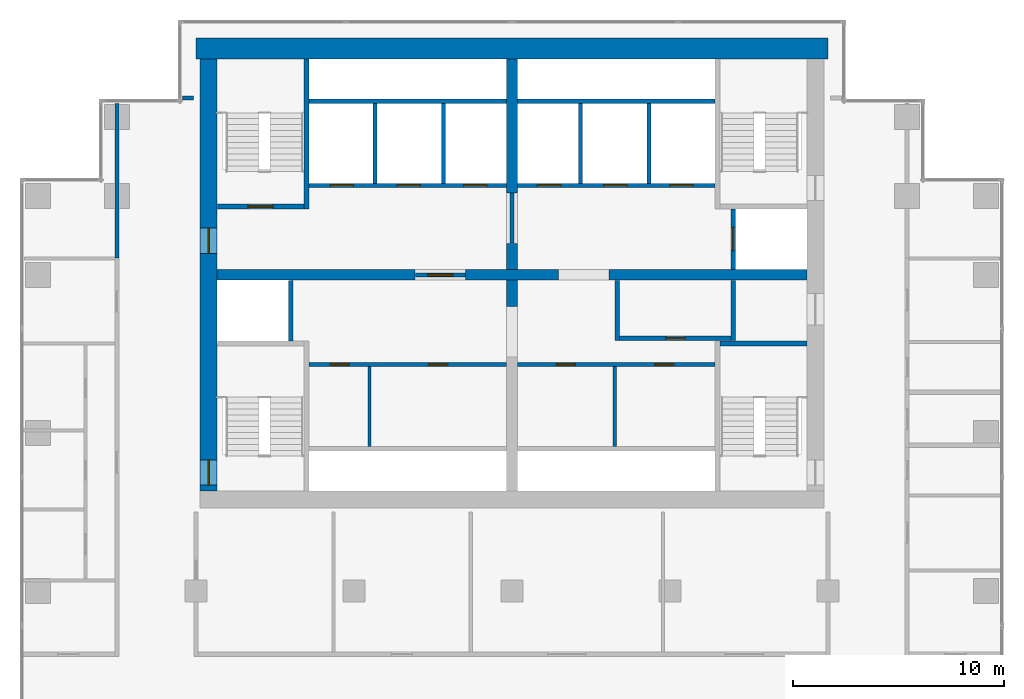
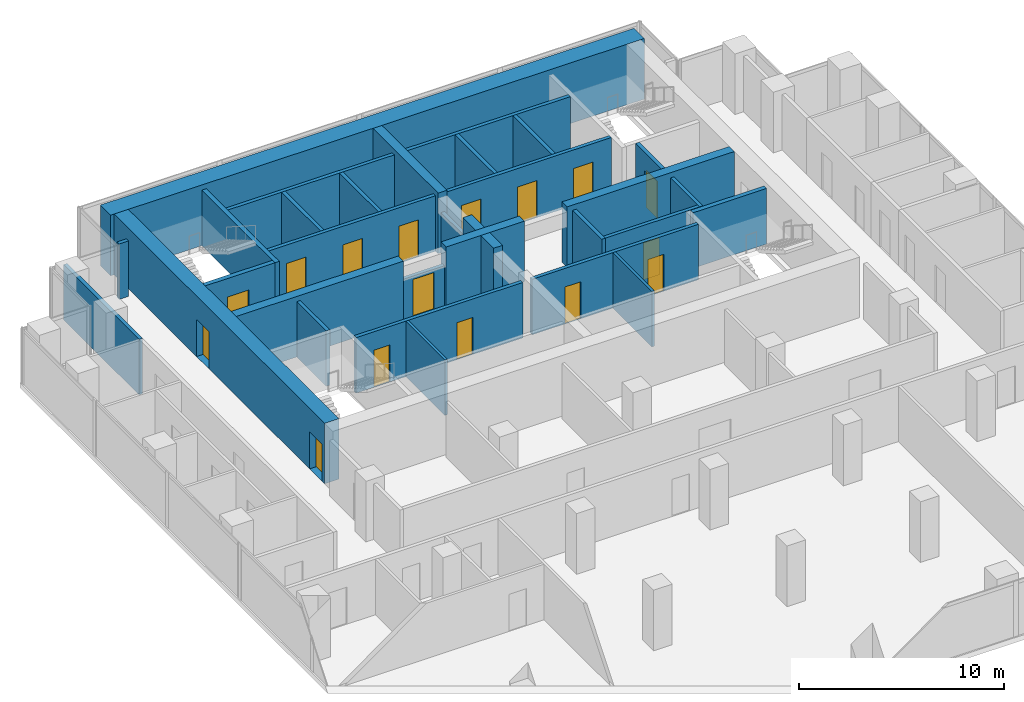
# One storey, part 8 of 10: 32 walls, 16 doors, 16 openings.
"""IFC4 building model written with IfcOpenShell, lengths in metres."""

import ifcopenshell
import ifcopenshell.guid

model = None  # the IFC model being written
_history = None  # IfcOwnerHistory: only IFC2X3 demands one
_inside = {}  # id of a spatial element -> (the spatial element, [elements in it])
_under = {}  # id of a project, library or spatial element -> (it, [spatial elements below it])
_declared = {}  # id of a project -> (the project, [libraries it declares])
_typed = {}  # id of a type object -> (the type object, [elements of that type])
_made_of = {}  # id of a material, layer set ... -> (it, [elements and type objects made of it])


def new_model(schema):
    """Start an empty IFC model of exactly this schema.

    Asked for "IFC4X3", IfcOpenShell would pick the latest addendum, in which some entities
    have other attributes; the version numbers below select the first issue.
    IFC2X3 requires an IfcOwnerHistory on every rooted entity: one is made here for all.
    """
    global model, _history
    if schema == "IFC4X3":
        model = ifcopenshell.file(schema_version=(4, 3, 0, 0))
    else:
        model = ifcopenshell.file(schema=schema)
    _inside.clear()
    _under.clear()
    _declared.clear()
    _typed.clear()
    _made_of.clear()
    _history = None
    if model.schema == "IFC2X3":
        org = make("IfcOrganization", Name="unknown")
        user = make(
            "IfcPersonAndOrganization",
            ThePerson=make("IfcPerson", FamilyName="unknown"),
            TheOrganization=org,
        )
        app = make(
            "IfcApplication",
            ApplicationDeveloper=org,
            Version="unknown",
            ApplicationFullName="unknown",
            ApplicationIdentifier="unknown",
        )
        _history = make(
            "IfcOwnerHistory",
            OwningUser=user,
            OwningApplication=app,
            ChangeAction="ADDED",
            CreationDate=0,
        )
    return model


def make(cls, **values):
    """One entity of the class cls with the attributes given. An attribute that is None is left unset."""
    return model.create_entity(
        cls, **{name: value for name, value in values.items() if value is not None}
    )


def rooted(cls, **values):
    """An entity with a GlobalId (a new one), such as an element, a storey or a relation."""
    return make(cls, GlobalId=ifcopenshell.guid.new(), OwnerHistory=_history, **values)


def si_unit(unit_type, name, prefix=None):
    """IfcSIUnit, for example si_unit("LENGTHUNIT", "METRE", prefix="MILLI")."""
    return make("IfcSIUnit", UnitType=unit_type, Prefix=prefix, Name=name)


def assignment(units):
    """IfcUnitAssignment: the units of a project."""
    return None if units is None else make("IfcUnitAssignment", Units=units)


def point(xyz):
    """IfcCartesianPoint."""
    return None if xyz is None else make("IfcCartesianPoint", Coordinates=xyz)


def direction(xyz):
    """IfcDirection."""
    return None if xyz is None else make("IfcDirection", DirectionRatios=xyz)


def frame(location, z_axis=None, x_axis=None):
    """IfcAxis2Placement3D, a coordinate frame: its origin and axes. An axis left out is left unset."""
    return make(
        "IfcAxis2Placement3D",
        Location=point(location),
        Axis=direction(z_axis),
        RefDirection=direction(x_axis),
    )


def frame_2d(location, x_axis=None):
    """IfcAxis2Placement2D, a coordinate frame in the plane: its origin and x axis."""
    return make(
        "IfcAxis2Placement2D", Location=point(location), RefDirection=direction(x_axis)
    )


def origin():
    """The frame at (0, 0, 0) with its axes left unset."""
    return frame((0.0, 0.0, 0.0))


def place(relative_to, where):
    """IfcLocalPlacement: puts the frame where relative to a parent placement (None: the world)."""
    return make(
        "IfcLocalPlacement", PlacementRelTo=relative_to, RelativePlacement=where
    )


def context(
    kind, dimensions, precision=None, world=None, true_north=None, identifier=None
):
    """IfcGeometricRepresentationContext, for example the 3D "Model" context."""
    return make(
        "IfcGeometricRepresentationContext",
        ContextIdentifier=identifier,
        ContextType=kind,
        CoordinateSpaceDimension=dimensions,
        Precision=precision,
        WorldCoordinateSystem=world,
        TrueNorth=true_north,
    )


def subcontext(parent, identifier, kind, view, scale=None):
    """IfcGeometricRepresentationSubContext, for example "Body" below "Model"."""
    return make(
        "IfcGeometricRepresentationSubContext",
        ContextIdentifier=identifier,
        ContextType=kind,
        ParentContext=parent,
        TargetScale=scale,
        TargetView=view,
    )


def project(units=None, contexts=None):
    """IfcProject with its units and contexts."""
    return rooted(
        "IfcProject",
        Name="project",
        RepresentationContexts=contexts,
        UnitsInContext=assignment(units),
    )


def spatial(cls, under=None, at=None, **own):
    """A site, building, storey or space (cls), placed at a placement, below another one or the project."""
    s = rooted(cls, ObjectPlacement=at, **own)
    if under is not None:
        _under.setdefault(under.id(), (under, []))[1].append(s)
    return s


def profile(cls, at=None, kind="AREA", **sizes):
    """A parametric profile (cls). Its sizes go by their IFC names, for example OverallWidth=200.0."""
    return make(cls, ProfileType=kind, Position=at, **sizes)


def rectangle(**sizes):
    """IfcRectangleProfileDef."""
    return profile("IfcRectangleProfileDef", **sizes)


def extrude(swept, where, along, depth):
    """IfcExtrudedAreaSolid: the profile swept, set in the frame where, extruded along a direction by depth."""
    return make(
        "IfcExtrudedAreaSolid",
        SweptArea=swept,
        Position=where,
        ExtrudedDirection=direction(along),
        Depth=depth,
    )


def shape(context_of_items, identifier, shape_type, items):
    """IfcShapeRepresentation: the items that make up one representation, for example the "Body"."""
    return make(
        "IfcShapeRepresentation",
        ContextOfItems=context_of_items,
        RepresentationIdentifier=identifier,
        RepresentationType=shape_type,
        Items=items,
    )


def material(Name=None, Category=None):
    """IfcMaterial."""
    return make("IfcMaterial", Name=Name, Category=Category)


def layer(
    of_material, thickness, ventilated=None, Name=None, Category=None, Priority=None
):
    """IfcMaterialLayer: one layer of a wall or slab, of a material (None: an air gap)."""
    return make(
        "IfcMaterialLayer",
        Material=of_material,
        LayerThickness=thickness,
        IsVentilated=ventilated,
        Name=Name,
        Category=Category,
        Priority=Priority,
    )


def layer_set(layers, Name=None):
    """IfcMaterialLayerSet."""
    return make("IfcMaterialLayerSet", MaterialLayers=layers, LayerSetName=Name)


def made_of(thing, what):
    """Note that an element or type object is made of a material, layer set ...; save() writes the relation."""
    if what is not None:
        _made_of.setdefault(what.id(), (what, []))[1].append(thing)
    return thing


def type_object(cls, material=None, **own):
    """A type object (cls), such as IfcWallType, which elements share."""
    return made_of(rooted(cls, **own), material)


def element(
    cls,
    number,
    at=None,
    inside=None,
    cuts=None,
    type_object=None,
    material=None,
    context=None,
    identifier="Body",
    shape_type=None,
    held_by="IfcProductDefinitionShape",
    body=None,
    shapes=None,
    **own,
):
    """One element of the class cls, such as IfcWall. Its Tag is "e" and its number.

    at: its placement. inside: the storey or other place that contains it. cuts: it is an
    opening in that element (IfcRelVoidsElement). A single representation is given by context,
    identifier, shape_type and body (its items); several are given by shapes. held_by: the class
    of the entity that holds the representations. save() writes the other relations.
    """
    e = rooted(cls, Tag="e%d" % number, ObjectPlacement=at, **own)
    if body is not None:
        shapes = [shape(context, identifier, shape_type, body)]
    if shapes is not None:
        e.Representation = make(held_by, Representations=shapes)
    if inside is not None:
        _inside.setdefault(inside.id(), (inside, []))[1].append(e)
    if cuts is not None:
        rooted(
            "IfcRelVoidsElement", RelatingBuildingElement=cuts, RelatedOpeningElement=e
        )
    if type_object is not None:
        _typed.setdefault(type_object.id(), (type_object, []))[1].append(e)
    return made_of(e, material)


def fill(opening, filler):
    """IfcRelFillsElement: the door or window that sits in an opening."""
    return rooted(
        "IfcRelFillsElement",
        RelatingOpeningElement=opening,
        RelatedBuildingElement=filler,
    )


def aggregate(whole, parts):
    """IfcRelAggregates: a whole, such as a stair, and the parts it consists of."""
    return rooted("IfcRelAggregates", RelatingObject=whole, RelatedObjects=parts)


def save(model, path):
    """Write the relations noted so far, then the file.

    IfcRelAggregates (storeys below a building ...), IfcRelContainedInSpatialStructure (elements
    in a storey), IfcRelDefinesByType, IfcRelAssociatesMaterial and IfcRelDeclares: one each for
    every whole, place, type object, material and project.
    """
    for whole, parts in _under.values():
        aggregate(whole, parts)
    for where, things in _inside.values():
        rooted(
            "IfcRelContainedInSpatialStructure",
            RelatedElements=things,
            RelatingStructure=where,
        )
    for kind, things in _typed.values():
        rooted("IfcRelDefinesByType", RelatedObjects=things, RelatingType=kind)
    for what, things in _made_of.values():
        rooted("IfcRelAssociatesMaterial", RelatedObjects=things, RelatingMaterial=what)
    for by, libraries in _declared.values():
        rooted("IfcRelDeclares", RelatingContext=by, RelatedDefinitions=libraries)
    model.write(path)


model = new_model("IFC4")

# Units and contexts
model_context = context("Model", 3, precision=1e-05, world=origin(), true_north=direction((0.0, 1.0)))
body_context = subcontext(model_context, "Body", "Model", "MODEL_VIEW")
ifc_project = project(units=[si_unit("LENGTHUNIT", "METRE"), si_unit("AREAUNIT", "SQUARE_METRE"), si_unit("VOLUMEUNIT", "CUBIC_METRE"), si_unit("PLANEANGLEUNIT", "RADIAN"), si_unit("MASSUNIT", "GRAM", prefix="KILO")], contexts=[model_context])

# Site, building, storey
site_placement = place(None, origin())
site = spatial("IfcSite", under=ifc_project, at=site_placement, CompositionType="ELEMENT")
building_placement = place(site_placement, origin())
building = spatial("IfcBuilding", under=site, at=building_placement, Name="Pilkhan Gate Tower", CompositionType="ELEMENT")
storey_placement = place(building_placement, frame((0.0, 0.0, 154.89990234375)))
storey = spatial("IfcBuildingStorey", under=building, at=storey_placement, Name="L39", CompositionType="ELEMENT", Elevation=154.89990234375)

# Wall
ifc_material_1 = material(Name="Concrete C60/75", Category="concrete")
ifc_layer_1 = layer(ifc_material_1, 1.0)
ifc_layer_set_1 = layer_set([ifc_layer_1], Name="Core wall CW1000 C60/75")
wall_type_1 = type_object("IfcWallType", Name="Core wall CW1000 C60/75", PredefinedType="SHEAR", material=ifc_layer_set_1)
wall_1_placement = place(storey_placement, frame((90.0, 93.25, 0.0), z_axis=(0.0, 0.0, 1.0), x_axis=(-1.0, 0.0, 0.0)))
element("IfcWall", 1, at=wall_1_placement, inside=storey, type_object=wall_type_1, Name="Core wall N L39", PredefinedType="SHEAR", context=body_context, shape_type="SweptSolid", body=[
    extrude(rectangle(XDim=30.0, YDim=1.0, at=frame_2d((15.0, 0.0))), origin(), (0.0, 0.0, 1.0), 3.60009765625),
])

# Wall, openings, doors
ifc_layer_2 = layer(ifc_material_1, 0.800048828125)
ifc_layer_set_2 = layer_set([ifc_layer_2], Name="Core wall CW800 C60/75")
wall_type_2 = type_object("IfcWallType", Name="Core wall CW800 C60/75", PredefinedType="SHEAR", material=ifc_layer_set_2)
wall_2_placement = place(storey_placement, frame((60.60009765625, 92.75, 0.0), z_axis=(0.0, 0.0, 1.0), x_axis=(0.0, -1.0, 0.0)))
wall_2 = element("IfcWall", 2, at=wall_2_placement, inside=storey, type_object=wall_type_2, Name="Core wall W L39", PredefinedType="SHEAR", context=body_context, shape_type="SweptSolid", body=[
    extrude(rectangle(XDim=20.5, YDim=0.800048828125, at=frame_2d((10.25, 0.0))), origin(), (0.0, 0.0, 1.0), 3.60009765625),
])
opening_1_placement = place(wall_2_placement, frame((19.02490234375, 0.0, 0.0)))
opening_1 = element("IfcOpeningElement", 3, at=opening_1_placement, cuts=wall_2, Name="Opening L39-04", PredefinedType="OPENING", context=body_context, shape_type="SweptSolid", body=[
    extrude(rectangle(XDim=1.199951171875, YDim=2.199951171875, at=frame_2d((0.60009765625, 1.10009765625))), frame((0.0, 0.409912109375, 0.0), z_axis=(0.0, -1.0, 0.0), x_axis=(1.0, 0.0, 0.0)), (0.0, 0.0, 1.0), 0.820068359375),
])
opening_2_placement = place(wall_2_placement, frame((8.02490234375, 0.0, 0.0)))
opening_2 = element("IfcOpeningElement", 4, at=opening_2_placement, cuts=wall_2, Name="Opening L39-13", PredefinedType="OPENING", context=body_context, shape_type="SweptSolid", body=[
    extrude(rectangle(XDim=1.199951171875, YDim=2.199951171875, at=frame_2d((0.60009765625, 1.10009765625))), frame((0.0, 0.409912109375, 0.0), z_axis=(0.0, -1.0, 0.0), x_axis=(1.0, 0.0, 0.0)), (0.0, 0.0, 1.0), 0.820068359375),
])
ifc_material_2 = material(Name="Steel door, 120 minute fire resisting, self-closing", Category="steel")
door_type_1 = type_object("IfcDoorType", Name="Firefighting lobby door D10 1200x2200", OperationType="SINGLE_SWING_LEFT", PredefinedType="DOOR", material=ifc_material_2)
door_1_placement = place(opening_2_placement, origin())
door_1 = element("IfcDoor", 5, at=door_1_placement, inside=storey, type_object=door_type_1, Name="Core door", OperationType="SINGLE_SWING_LEFT", OverallHeight=2.199951171875, OverallWidth=1.199951171875, PredefinedType="DOOR", context=body_context, shape_type="SweptSolid", body=[
    extrude(rectangle(XDim=1.199951171875, YDim=2.199951171875, at=frame_2d((0.60009765625, 1.10009765625))), frame((0.0, 0.02490234375, 0.0), z_axis=(0.0, -1.0, 0.0), x_axis=(1.0, 0.0, 0.0)), (0.0, 0.0, 1.0), 0.050048828125),
])
fill(opening_2, door_1)
ifc_material_3 = material(Name="Steel door, 120 minute fire resisting, panic bar", Category="steel")
door_type_2 = type_object("IfcDoorType", Name="Stair door D11 1200x2200", OperationType="SINGLE_SWING_LEFT", PredefinedType="DOOR", material=ifc_material_3)
door_2_placement = place(opening_1_placement, origin())
door_2 = element("IfcDoor", 6, at=door_2_placement, inside=storey, type_object=door_type_2, Name="Stair ST2 door", OperationType="SINGLE_SWING_RIGHT", OverallHeight=2.199951171875, OverallWidth=1.199951171875, PredefinedType="DOOR", context=body_context, shape_type="SweptSolid", body=[
    extrude(rectangle(XDim=1.199951171875, YDim=2.199951171875, at=frame_2d((0.60009765625, 1.10009765625))), frame((0.0, 0.02490234375, 0.0), z_axis=(0.0, -1.0, 0.0), x_axis=(1.0, 0.0, 0.0)), (0.0, 0.0, 1.0), 0.050048828125),
])
fill(opening_1, door_2)

# Walls
ifc_material_4 = material(Name="Dense blockwork", Category="masonry")
ifc_layer_3 = layer(ifc_material_4, 0.199951171875)
ifc_layer_set_3 = layer_set([ifc_layer_3], Name="Corridor wall FW200")
wall_type_3 = type_object("IfcWallType", Name="Corridor wall FW200", PredefinedType="PARTITIONING", material=ifc_layer_set_3)
wall_3_placement = place(storey_placement, frame((59.35498046875, 90.89990234375, 0.0), z_axis=(0.0, 0.0, 1.0), x_axis=(1.0, 0.0, 0.0)))
element("IfcWall", 7, at=wall_3_placement, inside=storey, type_object=wall_type_3, Name="Partition L39", PredefinedType="PARTITIONING", context=body_context, shape_type="SweptSolid", body=[
    extrude(rectangle(XDim=0.52490234375, YDim=0.199951171875, at=frame_2d((0.262451171875, 0.0))), origin(), (0.0, 0.0, 1.0), 3.300048828125),
])
wall_4_placement = place(storey_placement, frame((56.25, 83.31005859375, 0.0), z_axis=(0.0, 0.0, 1.0), x_axis=(0.0, 1.0, 0.0)))
element("IfcWall", 8, at=wall_4_placement, inside=storey, type_object=wall_type_3, Name="Partition L39", PredefinedType="PARTITIONING", context=body_context, shape_type="SweptSolid", body=[
    extrude(rectangle(XDim=7.3349609375, YDim=0.199951171875, at=frame_2d((3.66748046875, 0.0))), origin(), (0.0, 0.0, 1.0), 3.300048828125),
])

# Wall, openings, doors
ifc_layer_4 = layer(ifc_material_4, 0.199951171875)
ifc_layer_set_4 = layer_set([ifc_layer_4], Name="Lobby wall LW200")
wall_type_4 = type_object("IfcWallType", Name="Lobby wall LW200", PredefinedType="PARTITIONING", material=ifc_layer_set_4)
wall_5_placement = place(storey_placement, frame((65.375, 78.25, 0.0), z_axis=(0.0, 0.0, 1.0), x_axis=(1.0, 0.0, 0.0)))
wall_5 = element("IfcWall", 9, at=wall_5_placement, inside=storey, type_object=wall_type_4, Name="Partition L39", PredefinedType="PARTITIONING", context=body_context, shape_type="SweptSolid", body=[
    extrude(rectangle(XDim=9.364990234375, YDim=0.199951171875, at=frame_2d((4.6826171875, 0.0))), origin(), (0.0, 0.0, 1.0), 3.300048828125),
])
opening_3_placement = place(wall_5_placement, frame((1.0, 0.0, 0.0)))
opening_3 = element("IfcOpeningElement", 10, at=opening_3_placement, cuts=wall_5, Name="Opening L39-14", PredefinedType="OPENING", context=body_context, shape_type="SweptSolid", body=[
    extrude(rectangle(XDim=0.89990234375, YDim=2.199951171875, at=frame_2d((0.449951171875, 1.10009765625))), frame((0.0, 0.10986328125, 0.0), z_axis=(0.0, -1.0, 0.0), x_axis=(1.0, 0.0, 0.0)), (0.0, 0.0, 1.0), 0.219970703125),
])
opening_4_placement = place(wall_5_placement, frame((5.6650390625, 0.0, 0.0)))
opening_4 = element("IfcOpeningElement", 11, at=opening_4_placement, cuts=wall_5, Name="Opening L39-15", PredefinedType="OPENING", context=body_context, shape_type="SweptSolid", body=[
    extrude(rectangle(XDim=0.89990234375, YDim=2.199951171875, at=frame_2d((0.449951171875, 1.10009765625))), frame((0.0, 0.10986328125, 0.0), z_axis=(0.0, -1.0, 0.0), x_axis=(1.0, 0.0, 0.0)), (0.0, 0.0, 1.0), 0.219970703125),
])
ifc_material_5 = material(Name="Timber flush door, 60 minute fire resisting, self-closing", Category="wood")
door_type_3 = type_object("IfcDoorType", Name="Store door D05 900x2200", OperationType="SINGLE_SWING_LEFT", PredefinedType="DOOR", material=ifc_material_5)
door_3_placement = place(opening_3_placement, origin())
door_3 = element("IfcDoor", 12, at=door_3_placement, inside=storey, type_object=door_type_3, Name="Store door", OperationType="SINGLE_SWING_LEFT", OverallHeight=2.199951171875, OverallWidth=0.89990234375, PredefinedType="DOOR", context=body_context, shape_type="SweptSolid", body=[
    extrude(rectangle(XDim=0.89990234375, YDim=2.199951171875, at=frame_2d((0.449951171875, 1.10009765625))), frame((0.0, 0.02490234375, 0.0), z_axis=(0.0, -1.0, 0.0), x_axis=(1.0, 0.0, 0.0)), (0.0, 0.0, 1.0), 0.050048828125),
])
fill(opening_3, door_3)
door_4_placement = place(opening_4_placement, origin())
door_4 = element("IfcDoor", 13, at=door_4_placement, inside=storey, type_object=door_type_3, Name="Store door", OperationType="SINGLE_SWING_LEFT", OverallHeight=2.199951171875, OverallWidth=0.89990234375, PredefinedType="DOOR", context=body_context, shape_type="SweptSolid", body=[
    extrude(rectangle(XDim=0.89990234375, YDim=2.199951171875, at=frame_2d((0.449951171875, 1.10009765625))), frame((0.0, 0.02490234375, 0.0), z_axis=(0.0, -1.0, 0.0), x_axis=(1.0, 0.0, 0.0)), (0.0, 0.0, 1.0), 0.050048828125),
])
fill(opening_4, door_4)

wall_6_placement = place(storey_placement, frame((75.260009765625, 78.25, 0.0), z_axis=(0.0, 0.0, 1.0), x_axis=(1.0, 0.0, 0.0)))
wall_6 = element("IfcWall", 14, at=wall_6_placement, inside=storey, type_object=wall_type_4, Name="Partition L39", PredefinedType="PARTITIONING", context=body_context, shape_type="SweptSolid", body=[
    extrude(rectangle(XDim=9.364990234375, YDim=0.199951171875, at=frame_2d((4.6826171875, 0.0))), origin(), (0.0, 0.0, 1.0), 3.300048828125),
])
opening_5_placement = place(wall_6_placement, frame((1.85009765625, 0.0, 0.0)))
opening_5 = element("IfcOpeningElement", 15, at=opening_5_placement, cuts=wall_6, Name="Opening L39-16", PredefinedType="OPENING", context=body_context, shape_type="SweptSolid", body=[
    extrude(rectangle(XDim=0.89990234375, YDim=2.199951171875, at=frame_2d((0.449951171875, 1.10009765625))), frame((0.0, 0.10986328125, 0.0), z_axis=(0.0, -1.0, 0.0), x_axis=(1.0, 0.0, 0.0)), (0.0, 0.0, 1.0), 0.219970703125),
])
opening_6_placement = place(wall_6_placement, frame((6.514892578125, 0.0, 0.0)))
opening_6 = element("IfcOpeningElement", 16, at=opening_6_placement, cuts=wall_6, Name="Opening L39-17", PredefinedType="OPENING", context=body_context, shape_type="SweptSolid", body=[
    extrude(rectangle(XDim=0.89990234375, YDim=2.199951171875, at=frame_2d((0.449951171875, 1.10009765625))), frame((0.0, 0.10986328125, 0.0), z_axis=(0.0, -1.0, 0.0), x_axis=(1.0, 0.0, 0.0)), (0.0, 0.0, 1.0), 0.219970703125),
])
door_5_placement = place(opening_5_placement, origin())
door_5 = element("IfcDoor", 17, at=door_5_placement, inside=storey, type_object=door_type_3, Name="Store door", OperationType="SINGLE_SWING_LEFT", OverallHeight=2.199951171875, OverallWidth=0.89990234375, PredefinedType="DOOR", context=body_context, shape_type="SweptSolid", body=[
    extrude(rectangle(XDim=0.89990234375, YDim=2.199951171875, at=frame_2d((0.449951171875, 1.10009765625))), frame((0.0, 0.02490234375, 0.0), z_axis=(0.0, -1.0, 0.0), x_axis=(1.0, 0.0, 0.0)), (0.0, 0.0, 1.0), 0.050048828125),
])
fill(opening_5, door_5)
door_6_placement = place(opening_6_placement, origin())
door_6 = element("IfcDoor", 18, at=door_6_placement, inside=storey, type_object=door_type_3, Name="Store door", OperationType="SINGLE_SWING_LEFT", OverallHeight=2.199951171875, OverallWidth=0.89990234375, PredefinedType="DOOR", context=body_context, shape_type="SweptSolid", body=[
    extrude(rectangle(XDim=0.89990234375, YDim=2.199951171875, at=frame_2d((0.449951171875, 1.10009765625))), frame((0.0, 0.02490234375, 0.0), z_axis=(0.0, -1.0, 0.0), x_axis=(1.0, 0.0, 0.0)), (0.0, 0.0, 1.0), 0.050048828125),
])
fill(opening_6, door_6)

# Wall, opening, door
wall_7_placement = place(storey_placement, frame((80.10009765625, 79.5, 0.0), z_axis=(0.0, 0.0, 1.0), x_axis=(1.0, 0.0, 0.0)))
wall_7 = element("IfcWall", 19, at=wall_7_placement, inside=storey, type_object=wall_type_4, Name="Partition L39", PredefinedType="PARTITIONING", context=body_context, shape_type="SweptSolid", body=[
    extrude(rectangle(XDim=5.2998046875, YDim=0.199951171875, at=frame_2d((2.64990234375, 0.0))), origin(), (0.0, 0.0, 1.0), 3.300048828125),
])
opening_7_placement = place(wall_7_placement, frame((2.199951171875, 0.0, 0.0)))
opening_7 = element("IfcOpeningElement", 20, at=opening_7_placement, cuts=wall_7, Name="Opening L39-12", PredefinedType="OPENING", context=body_context, shape_type="SweptSolid", body=[
    extrude(rectangle(XDim=0.89990234375, YDim=2.199951171875, at=frame_2d((0.449951171875, 1.10009765625))), frame((0.0, 0.10986328125, 0.0), z_axis=(0.0, -1.0, 0.0), x_axis=(1.0, 0.0, 0.0)), (0.0, 0.0, 1.0), 0.219970703125),
])
door_7_placement = place(opening_7_placement, origin())
door_7 = element("IfcDoor", 21, at=door_7_placement, inside=storey, type_object=door_type_3, Name="Store door", OperationType="SINGLE_SWING_LEFT", OverallHeight=2.199951171875, OverallWidth=0.89990234375, PredefinedType="DOOR", context=body_context, shape_type="SweptSolid", body=[
    extrude(rectangle(XDim=0.89990234375, YDim=2.199951171875, at=frame_2d((0.449951171875, 1.10009765625))), frame((0.0, 0.02490234375, 0.0), z_axis=(0.0, -1.0, 0.0), x_axis=(1.0, 0.0, 0.0)), (0.0, 0.0, 1.0), 0.050048828125),
])
fill(opening_7, door_7)

wall_8_placement = place(storey_placement, frame((70.409912109375, 82.5, 0.0), z_axis=(0.0, 0.0, 1.0), x_axis=(1.0, 0.0, 0.0)))
wall_8 = element("IfcWall", 22, at=wall_8_placement, inside=storey, type_object=wall_type_4, Name="Partition L39", PredefinedType="PARTITIONING", context=body_context, shape_type="SweptSolid", body=[
    extrude(rectangle(XDim=2.380126953125, YDim=0.199951171875, at=frame_2d((1.18994140625, 0.0))), origin(), (0.0, 0.0, 1.0), 2.400146484375),
])
opening_8_placement = place(wall_8_placement, frame((0.60009765625, 0.0, 0.0)))
opening_8 = element("IfcOpeningElement", 23, at=opening_8_placement, cuts=wall_8, Name="Opening L39-01", PredefinedType="OPENING", context=body_context, shape_type="SweptSolid", body=[
    extrude(rectangle(XDim=1.199951171875, YDim=2.199951171875, at=frame_2d((0.60009765625, 1.10009765625))), frame((0.0, 0.10986328125, 0.0), z_axis=(0.0, -1.0, 0.0), x_axis=(1.0, 0.0, 0.0)), (0.0, 0.0, 1.0), 0.219970703125),
])
door_8_placement = place(opening_8_placement, origin())
door_8 = element("IfcDoor", 24, at=door_8_placement, inside=storey, type_object=door_type_1, Name="Firefighting lobby door", OperationType="SINGLE_SWING_RIGHT", OverallHeight=2.199951171875, OverallWidth=1.199951171875, PredefinedType="DOOR", context=body_context, shape_type="SweptSolid", body=[
    extrude(rectangle(XDim=1.199951171875, YDim=2.199951171875, at=frame_2d((0.60009765625, 1.10009765625))), frame((0.0, 0.02490234375, 0.0), z_axis=(0.0, -1.0, 0.0), x_axis=(1.0, 0.0, 0.0)), (0.0, 0.0, 1.0), 0.050048828125),
])
fill(opening_8, door_8)

# Walls
wall_9_placement = place(storey_placement, frame((75.0, 84.010009765625, 0.0), z_axis=(0.0, 0.0, 1.0), x_axis=(0.0, 1.0, 0.0)))
element("IfcWall", 25, at=wall_9_placement, inside=storey, type_object=wall_type_4, Name="Partition L39", PredefinedType="PARTITIONING", context=body_context, shape_type="SweptSolid", body=[
    extrude(rectangle(XDim=2.3798828125, YDim=0.199951171875, at=frame_2d((1.18994140625, 0.0))), origin(), (0.0, 0.0, 1.0), 2.400146484375),
])
for number, where, z_axis, x_axis, name in (
    (26, (80.0, 79.39990234375, 0.0), (0.0, 0.0, 1.0), (0.0, 1.0, 0.0), "Partition L39"),
    (27, (85.5, 79.39990234375, 0.0), (0.0, 0.0, 1.0), (0.0, 1.0, 0.0), "Partition L39"),
):
    element("IfcWall", number, at=place(storey_placement, frame(where, z_axis=z_axis, x_axis=x_axis)), inside=storey, type_object=wall_type_4, Name=name, PredefinedType="PARTITIONING", context=body_context, shape_type="SweptSolid", body=[
        extrude(rectangle(XDim=2.840087890625, YDim=0.199951171875, at=frame_2d((1.419921875, 0.0))), origin(), (0.0, 0.0, 1.0), 3.300048828125),
    ])
ifc_material_6 = material(Name="Blockwork partition, plastered both sides", Category="masonry")
ifc_layer_5 = layer(ifc_material_6, 0.14990234375)
ifc_layer_set_5 = layer_set([ifc_layer_5], Name="Partition PW150")
wall_type_5 = type_object("IfcWallType", Name="Partition PW150", PredefinedType="PARTITIONING", material=ifc_layer_set_5)
for number, where, z_axis, x_axis, name in (
    (28, (68.239990234375, 74.35009765625, 0.0), (0.0, 0.0, 1.0), (0.0, 1.0, 0.0), "Partition L39"),
    (29, (79.875, 74.35009765625, 0.0), (0.0, 0.0, 1.0), (0.0, 1.0, 0.0), "Partition L39"),
):
    element("IfcWall", number, at=place(storey_placement, frame(where, z_axis=z_axis, x_axis=x_axis)), inside=storey, type_object=wall_type_5, Name=name, PredefinedType="PARTITIONING", context=body_context, shape_type="SweptSolid", body=[
        extrude(rectangle(XDim=3.7998046875, YDim=0.14990234375, at=frame_2d((1.89990234375, 0.0))), origin(), (0.0, 0.0, 1.0), 3.300048828125),
    ])

# Wall, openings, doors
ifc_material_7 = material(Name="Reinforced blockwork shaft wall, 120 minute fire resisting", Category="masonry")
ifc_layer_6 = layer(ifc_material_7, 0.199951171875)
ifc_layer_set_6 = layer_set([ifc_layer_6], Name="Shaft wall SW200")
wall_type_6 = type_object("IfcWallType", Name="Shaft wall SW200", PredefinedType="PARTITIONING", material=ifc_layer_set_6)
wall_10_placement = place(storey_placement, frame((65.375, 86.75, 0.0), z_axis=(0.0, 0.0, 1.0), x_axis=(1.0, 0.0, 0.0)))
wall_10 = element("IfcWall", 30, at=wall_10_placement, inside=storey, type_object=wall_type_6, Name="Partition L39", PredefinedType="PARTITIONING", context=body_context, shape_type="SweptSolid", body=[
    extrude(rectangle(XDim=9.364990234375, YDim=0.199951171875, at=frame_2d((4.6826171875, 0.0))), origin(), (0.0, 0.0, 1.0), 3.300048828125),
])
opening_9_placement = place(wall_10_placement, frame((1.0, 0.0, 0.0)))
opening_9 = element("IfcOpeningElement", 31, at=opening_9_placement, cuts=wall_10, Name="Opening LD", PredefinedType="OPENING", context=body_context, shape_type="SweptSolid", body=[
    extrude(rectangle(XDim=1.10009765625, YDim=2.199951171875, at=frame_2d((0.550048828125, 1.10009765625))), frame((0.0, 0.10986328125, 0.0), z_axis=(0.0, -1.0, 0.0), x_axis=(1.0, 0.0, 0.0)), (0.0, 0.0, 1.0), 0.219970703125),
])
opening_10_placement = place(wall_10_placement, frame((4.175048828125, 0.0, 0.0)))
opening_10 = element("IfcOpeningElement", 32, at=opening_10_placement, cuts=wall_10, Name="Opening LD", PredefinedType="OPENING", context=body_context, shape_type="SweptSolid", body=[
    extrude(rectangle(XDim=1.10009765625, YDim=2.199951171875, at=frame_2d((0.550048828125, 1.10009765625))), frame((0.0, 0.10986328125, 0.0), z_axis=(0.0, -1.0, 0.0), x_axis=(1.0, 0.0, 0.0)), (0.0, 0.0, 1.0), 0.219970703125),
])
opening_11_placement = place(wall_10_placement, frame((7.324951171875, 0.0, 0.0)))
opening_11 = element("IfcOpeningElement", 33, at=opening_11_placement, cuts=wall_10, Name="Opening LD", PredefinedType="OPENING", context=body_context, shape_type="SweptSolid", body=[
    extrude(rectangle(XDim=1.10009765625, YDim=2.199951171875, at=frame_2d((0.550048828125, 1.10009765625))), frame((0.0, 0.10986328125, 0.0), z_axis=(0.0, -1.0, 0.0), x_axis=(1.0, 0.0, 0.0)), (0.0, 0.0, 1.0), 0.219970703125),
])
ifc_material_8 = material(Name="Stainless steel centre-opening landing door, 120 minute fire resisting", Category="steel")
door_type_4 = type_object("IfcDoorType", Name="Lift landing door LD 1100x2200", OperationType="DOUBLE_DOOR_SLIDING", PredefinedType="DOOR", material=ifc_material_8)
door_9_placement = place(opening_9_placement, origin())
door_9 = element("IfcDoor", 34, at=door_9_placement, inside=storey, type_object=door_type_4, Name="Landing door FF1", OperationType="DOUBLE_DOOR_SLIDING", OverallHeight=2.199951171875, OverallWidth=1.10009765625, PredefinedType="DOOR", context=body_context, shape_type="SweptSolid", body=[
    extrude(rectangle(XDim=1.10009765625, YDim=2.199951171875, at=frame_2d((0.550048828125, 1.10009765625))), frame((0.0, 0.02490234375, 0.0), z_axis=(0.0, -1.0, 0.0), x_axis=(1.0, 0.0, 0.0)), (0.0, 0.0, 1.0), 0.050048828125),
])
fill(opening_9, door_9)
door_10_placement = place(opening_10_placement, origin())
door_10 = element("IfcDoor", 35, at=door_10_placement, inside=storey, type_object=door_type_4, Name="Landing door FF2", OperationType="DOUBLE_DOOR_SLIDING", OverallHeight=2.199951171875, OverallWidth=1.10009765625, PredefinedType="DOOR", context=body_context, shape_type="SweptSolid", body=[
    extrude(rectangle(XDim=1.10009765625, YDim=2.199951171875, at=frame_2d((0.550048828125, 1.10009765625))), frame((0.0, 0.02490234375, 0.0), z_axis=(0.0, -1.0, 0.0), x_axis=(1.0, 0.0, 0.0)), (0.0, 0.0, 1.0), 0.050048828125),
])
fill(opening_10, door_10)
door_11_placement = place(opening_11_placement, origin())
door_11 = element("IfcDoor", 36, at=door_11_placement, inside=storey, type_object=door_type_4, Name="Landing door SV1", OperationType="DOUBLE_DOOR_SLIDING", OverallHeight=2.199951171875, OverallWidth=1.10009765625, PredefinedType="DOOR", context=body_context, shape_type="SweptSolid", body=[
    extrude(rectangle(XDim=1.10009765625, YDim=2.199951171875, at=frame_2d((0.550048828125, 1.10009765625))), frame((0.0, 0.02490234375, 0.0), z_axis=(0.0, -1.0, 0.0), x_axis=(1.0, 0.0, 0.0)), (0.0, 0.0, 1.0), 0.050048828125),
])
fill(opening_11, door_11)

wall_11_placement = place(storey_placement, frame((75.260009765625, 86.75, 0.0), z_axis=(0.0, 0.0, 1.0), x_axis=(1.0, 0.0, 0.0)))
wall_11 = element("IfcWall", 37, at=wall_11_placement, inside=storey, type_object=wall_type_6, Name="Partition L39", PredefinedType="PARTITIONING", context=body_context, shape_type="SweptSolid", body=[
    extrude(rectangle(XDim=9.364990234375, YDim=0.199951171875, at=frame_2d((4.6826171875, 0.0))), origin(), (0.0, 0.0, 1.0), 3.300048828125),
])
opening_12_placement = place(wall_11_placement, frame((0.949951171875, 0.0, 0.0)))
opening_12 = element("IfcOpeningElement", 38, at=opening_12_placement, cuts=wall_11, Name="Opening LD", PredefinedType="OPENING", context=body_context, shape_type="SweptSolid", body=[
    extrude(rectangle(XDim=1.10009765625, YDim=2.199951171875, at=frame_2d((0.550048828125, 1.10009765625))), frame((0.0, 0.10986328125, 0.0), z_axis=(0.0, -1.0, 0.0), x_axis=(1.0, 0.0, 0.0)), (0.0, 0.0, 1.0), 0.219970703125),
])
opening_13_placement = place(wall_11_placement, frame((4.090087890625, 0.0, 0.0)))
opening_13 = element("IfcOpeningElement", 39, at=opening_13_placement, cuts=wall_11, Name="Opening LD", PredefinedType="OPENING", context=body_context, shape_type="SweptSolid", body=[
    extrude(rectangle(XDim=1.10009765625, YDim=2.199951171875, at=frame_2d((0.550048828125, 1.10009765625))), frame((0.0, 0.10986328125, 0.0), z_axis=(0.0, -1.0, 0.0), x_axis=(1.0, 0.0, 0.0)), (0.0, 0.0, 1.0), 0.219970703125),
])
opening_14_placement = place(wall_11_placement, frame((7.239990234375, 0.0, 0.0)))
opening_14 = element("IfcOpeningElement", 40, at=opening_14_placement, cuts=wall_11, Name="Opening LD", PredefinedType="OPENING", context=body_context, shape_type="SweptSolid", body=[
    extrude(rectangle(XDim=1.10009765625, YDim=2.199951171875, at=frame_2d((0.550048828125, 1.10009765625))), frame((0.0, 0.10986328125, 0.0), z_axis=(0.0, -1.0, 0.0), x_axis=(1.0, 0.0, 0.0)), (0.0, 0.0, 1.0), 0.219970703125),
])
door_12_placement = place(opening_12_placement, origin())
door_12 = element("IfcDoor", 41, at=door_12_placement, inside=storey, type_object=door_type_4, Name="Landing door HR1", OperationType="DOUBLE_DOOR_SLIDING", OverallHeight=2.199951171875, OverallWidth=1.10009765625, PredefinedType="DOOR", context=body_context, shape_type="SweptSolid", body=[
    extrude(rectangle(XDim=1.10009765625, YDim=2.199951171875, at=frame_2d((0.550048828125, 1.10009765625))), frame((0.0, 0.02490234375, 0.0), z_axis=(0.0, -1.0, 0.0), x_axis=(1.0, 0.0, 0.0)), (0.0, 0.0, 1.0), 0.050048828125),
])
fill(opening_12, door_12)
door_13_placement = place(opening_13_placement, origin())
door_13 = element("IfcDoor", 42, at=door_13_placement, inside=storey, type_object=door_type_4, Name="Landing door HR2", OperationType="DOUBLE_DOOR_SLIDING", OverallHeight=2.199951171875, OverallWidth=1.10009765625, PredefinedType="DOOR", context=body_context, shape_type="SweptSolid", body=[
    extrude(rectangle(XDim=1.10009765625, YDim=2.199951171875, at=frame_2d((0.550048828125, 1.10009765625))), frame((0.0, 0.02490234375, 0.0), z_axis=(0.0, -1.0, 0.0), x_axis=(1.0, 0.0, 0.0)), (0.0, 0.0, 1.0), 0.050048828125),
])
fill(opening_13, door_13)
door_14_placement = place(opening_14_placement, origin())
door_14 = element("IfcDoor", 43, at=door_14_placement, inside=storey, type_object=door_type_4, Name="Landing door HR3", OperationType="DOUBLE_DOOR_SLIDING", OverallHeight=2.199951171875, OverallWidth=1.10009765625, PredefinedType="DOOR", context=body_context, shape_type="SweptSolid", body=[
    extrude(rectangle(XDim=1.10009765625, YDim=2.199951171875, at=frame_2d((0.550048828125, 1.10009765625))), frame((0.0, 0.02490234375, 0.0), z_axis=(0.0, -1.0, 0.0), x_axis=(1.0, 0.0, 0.0)), (0.0, 0.0, 1.0), 0.050048828125),
])
fill(opening_14, door_14)

# Walls
for number, where, z_axis, x_axis, name in (
    (44, (65.375, 90.75, 0.0), (0.0, 0.0, 1.0), (1.0, 0.0, 0.0), "Partition L39"),
    (45, (75.260009765625, 90.75, 0.0), (0.0, 0.0, 1.0), (1.0, 0.0, 0.0), "Partition L39"),
):
    element("IfcWall", number, at=place(storey_placement, frame(where, z_axis=z_axis, x_axis=x_axis)), inside=storey, type_object=wall_type_6, Name=name, PredefinedType="PARTITIONING", context=body_context, shape_type="SweptSolid", body=[
        extrude(rectangle(XDim=9.364990234375, YDim=0.199951171875, at=frame_2d((4.6826171875, 0.0))), origin(), (0.0, 0.0, 1.0), 3.300048828125),
    ])
wall_12_placement = place(storey_placement, frame((64.5, 79.375, 0.0), z_axis=(0.0, 0.0, 1.0), x_axis=(0.0, 1.0, 0.0)))
element("IfcWall", 46, at=wall_12_placement, inside=storey, type_object=wall_type_6, Name="Partition L39", PredefinedType="PARTITIONING", context=body_context, shape_type="SweptSolid", body=[
    extrude(rectangle(XDim=2.864990234375, YDim=0.199951171875, at=frame_2d((1.4326171875, 0.0))), origin(), (0.0, 0.0, 1.0), 3.300048828125),
])
for number, where, z_axis, x_axis, name in (
    (47, (68.5, 86.85009765625, 0.0), (0.0, 0.0, 1.0), (0.0, 1.0, 0.0), "Partition L39"),
    (48, (71.75, 86.85009765625, 0.0), (0.0, 0.0, 1.0), (0.0, 1.0, 0.0), "Partition L39"),
    (49, (78.25, 86.85009765625, 0.0), (0.0, 0.0, 1.0), (0.0, 1.0, 0.0), "Partition L39"),
    (50, (81.5, 86.85009765625, 0.0), (0.0, 0.0, 1.0), (0.0, 1.0, 0.0), "Partition L39"),
):
    element("IfcWall", number, at=place(storey_placement, frame(where, z_axis=z_axis, x_axis=x_axis)), inside=storey, type_object=wall_type_6, Name=name, PredefinedType="PARTITIONING", context=body_context, shape_type="SweptSolid", body=[
        extrude(rectangle(XDim=3.7998046875, YDim=0.199951171875, at=frame_2d((1.89990234375, 0.0))), origin(), (0.0, 0.0, 1.0), 3.300048828125),
    ])

# Wall, opening, door
wall_13_placement = place(storey_placement, frame((85.5, 82.760009765625, 0.0), z_axis=(0.0, 0.0, 1.0), x_axis=(0.0, 1.0, 0.0)))
wall_13 = element("IfcWall", 51, at=wall_13_placement, inside=storey, type_object=wall_type_6, Name="Partition L39", PredefinedType="PARTITIONING", context=body_context, shape_type="SweptSolid", body=[
    extrude(rectangle(XDim=2.864990234375, YDim=0.199951171875, at=frame_2d((1.4326171875, 0.0))), origin(), (0.0, 0.0, 1.0), 3.300048828125),
])
opening_15_placement = place(wall_13_placement, frame((0.89990234375, 0.0, 0.0)))
opening_15 = element("IfcOpeningElement", 52, at=opening_15_placement, cuts=wall_13, Name="Opening LD", PredefinedType="OPENING", context=body_context, shape_type="SweptSolid", body=[
    extrude(rectangle(XDim=1.10009765625, YDim=2.199951171875, at=frame_2d((0.550048828125, 1.10009765625))), frame((0.0, 0.10986328125, 0.0), z_axis=(0.0, -1.0, 0.0), x_axis=(1.0, 0.0, 0.0)), (0.0, 0.0, 1.0), 0.219970703125),
])
door_15_placement = place(opening_15_placement, origin())
door_15 = element("IfcDoor", 53, at=door_15_placement, inside=storey, type_object=door_type_4, Name="Landing door HR4", OperationType="DOUBLE_DOOR_SLIDING", OverallHeight=2.199951171875, OverallWidth=1.10009765625, PredefinedType="DOOR", context=body_context, shape_type="SweptSolid", body=[
    extrude(rectangle(XDim=1.10009765625, YDim=2.199951171875, at=frame_2d((0.550048828125, 1.10009765625))), frame((0.0, 0.02490234375, 0.0), z_axis=(0.0, -1.0, 0.0), x_axis=(1.0, 0.0, 0.0)), (0.0, 0.0, 1.0), 0.050048828125),
])
fill(opening_15, door_15)

# Walls
ifc_layer_7 = layer(ifc_material_1, 0.5)
ifc_layer_set_7 = layer_set([ifc_layer_7], Name="Spine wall SW500 C60/75")
wall_type_7 = type_object("IfcWallType", Name="Spine wall SW500 C60/75", PredefinedType="SHEAR", material=ifc_layer_set_7)
wall_14_placement = place(storey_placement, frame((61.0, 82.5, 0.0), z_axis=(0.0, 0.0, 1.0), x_axis=(1.0, 0.0, 0.0)))
element("IfcWall", 54, at=wall_14_placement, inside=storey, type_object=wall_type_7, Name="Spine wall SP-EW1 L39", PredefinedType="SHEAR", context=body_context, shape_type="SweptSolid", body=[
    extrude(rectangle(XDim=9.39990234375, YDim=0.5, at=frame_2d((4.699951171875, 0.0))), origin(), (0.0, 0.0, 1.0), 3.60009765625),
])
wall_15_placement = place(storey_placement, frame((72.800048828125, 82.5, 0.0), z_axis=(0.0, 0.0, 1.0), x_axis=(1.0, 0.0, 0.0)))
element("IfcWall", 55, at=wall_15_placement, inside=storey, type_object=wall_type_7, Name="Spine wall SP-EW2 L39", PredefinedType="SHEAR", context=body_context, shape_type="SweptSolid", body=[
    extrude(rectangle(XDim=4.39990234375, YDim=0.5, at=frame_2d((2.199951171875, 0.0))), origin(), (0.0, 0.0, 1.0), 3.60009765625),
])
wall_16_placement = place(storey_placement, frame((79.60009765625, 82.5, 0.0), z_axis=(0.0, 0.0, 1.0), x_axis=(1.0, 0.0, 0.0)))
element("IfcWall", 56, at=wall_16_placement, inside=storey, type_object=wall_type_7, Name="Spine wall SP-EW3 L39", PredefinedType="SHEAR", context=body_context, shape_type="SweptSolid", body=[
    extrude(rectangle(XDim=9.39990234375, YDim=0.5, at=frame_2d((4.699951171875, 0.0))), origin(), (0.0, 0.0, 1.0), 3.60009765625),
])
for number, where, z_axis, x_axis, name in (
    (57, (75.0, 81.0, 0.0), (0.0, 0.0, 1.0), (0.0, 1.0, 0.0), "Spine wall SP-NS-S2 L39"),
    (58, (75.0, 82.75, 0.0), (0.0, 0.0, 1.0), (0.0, 1.0, 0.0), "Spine wall SP-NS-N1 L39"),
):
    element("IfcWall", number, at=place(storey_placement, frame(where, z_axis=z_axis, x_axis=x_axis)), inside=storey, type_object=wall_type_7, Name=name, PredefinedType="SHEAR", context=body_context, shape_type="SweptSolid", body=[
        extrude(rectangle(XDim=1.25, YDim=0.5, at=frame_2d((0.625, 0.0))), origin(), (0.0, 0.0, 1.0), 3.60009765625),
    ])
wall_17_placement = place(storey_placement, frame((75.0, 86.39990234375, 0.0), z_axis=(0.0, 0.0, 1.0), x_axis=(0.0, 1.0, 0.0)))
element("IfcWall", 59, at=wall_17_placement, inside=storey, type_object=wall_type_7, Name="Spine wall SP-NS-N2 L39", PredefinedType="SHEAR", context=body_context, shape_type="SweptSolid", body=[
    extrude(rectangle(XDim=6.35009765625, YDim=0.5, at=frame_2d((3.175048828125, 0.0))), origin(), (0.0, 0.0, 1.0), 3.60009765625),
])
ifc_material_9 = material(Name="Reinforced blockwork, 120 minute fire resisting", Category="masonry")
ifc_layer_8 = layer(ifc_material_9, 0.25)
ifc_layer_set_8 = layer_set([ifc_layer_8], Name="Stair enclosure wall SE250")
wall_type_8 = type_object("IfcWallType", Name="Stair enclosure wall SE250", PredefinedType="PARTITIONING", material=ifc_layer_set_8)
wall_18_placement = place(storey_placement, frame((84.875, 79.25, 0.0), z_axis=(0.0, 0.0, 1.0), x_axis=(1.0, 0.0, 0.0)))
element("IfcWall", 60, at=wall_18_placement, inside=storey, type_object=wall_type_8, Name="Partition L39", PredefinedType="PARTITIONING", context=body_context, shape_type="SweptSolid", body=[
    extrude(rectangle(XDim=4.125, YDim=0.25, at=frame_2d((2.0625, 0.0))), origin(), (0.0, 0.0, 1.0), 3.300048828125),
])

# Wall, opening, door
wall_19_placement = place(storey_placement, frame((61.010009765625, 85.75, 0.0), z_axis=(0.0, 0.0, 1.0), x_axis=(1.0, 0.0, 0.0)))
wall_19 = element("IfcWall", 61, at=wall_19_placement, inside=storey, type_object=wall_type_8, Name="Partition L39", PredefinedType="PARTITIONING", context=body_context, shape_type="SweptSolid", body=[
    extrude(rectangle(XDim=4.114990234375, YDim=0.25, at=frame_2d((2.0576171875, 0.0))), origin(), (0.0, 0.0, 1.0), 3.300048828125),
])
opening_16_placement = place(wall_19_placement, frame((1.449951171875, 0.0, 0.0)))
opening_16 = element("IfcOpeningElement", 62, at=opening_16_placement, cuts=wall_19, Name="Opening L39-02", PredefinedType="OPENING", context=body_context, shape_type="SweptSolid", body=[
    extrude(rectangle(XDim=1.199951171875, YDim=2.199951171875, at=frame_2d((0.60009765625, 1.10009765625))), frame((0.0, 0.135009765625, 0.0), z_axis=(0.0, -1.0, 0.0), x_axis=(1.0, 0.0, 0.0)), (0.0, 0.0, 1.0), 0.27001953125),
])
door_16_placement = place(opening_16_placement, origin())
door_16 = element("IfcDoor", 63, at=door_16_placement, inside=storey, type_object=door_type_2, Name="Stair ST3 lobby door", OperationType="SINGLE_SWING_RIGHT", OverallHeight=2.199951171875, OverallWidth=1.199951171875, PredefinedType="DOOR", context=body_context, shape_type="SweptSolid", body=[
    extrude(rectangle(XDim=1.199951171875, YDim=2.199951171875, at=frame_2d((0.60009765625, 1.10009765625))), frame((0.0, 0.02490234375, 0.0), z_axis=(0.0, -1.0, 0.0), x_axis=(1.0, 0.0, 0.0)), (0.0, 0.0, 1.0), 0.050048828125),
])
fill(opening_16, door_16)

# Wall
wall_20_placement = place(storey_placement, frame((65.25, 85.625, 0.0), z_axis=(0.0, 0.0, 1.0), x_axis=(0.0, 1.0, 0.0)))
element("IfcWall", 64, at=wall_20_placement, inside=storey, type_object=wall_type_8, Name="Partition L39", PredefinedType="PARTITIONING", context=body_context, shape_type="SweptSolid", body=[
    extrude(rectangle(XDim=7.114990234375, YDim=0.25, at=frame_2d((3.5576171875, 0.0))), origin(), (0.0, 0.0, 1.0), 3.300048828125),
])

save(model, "model.ifc")
